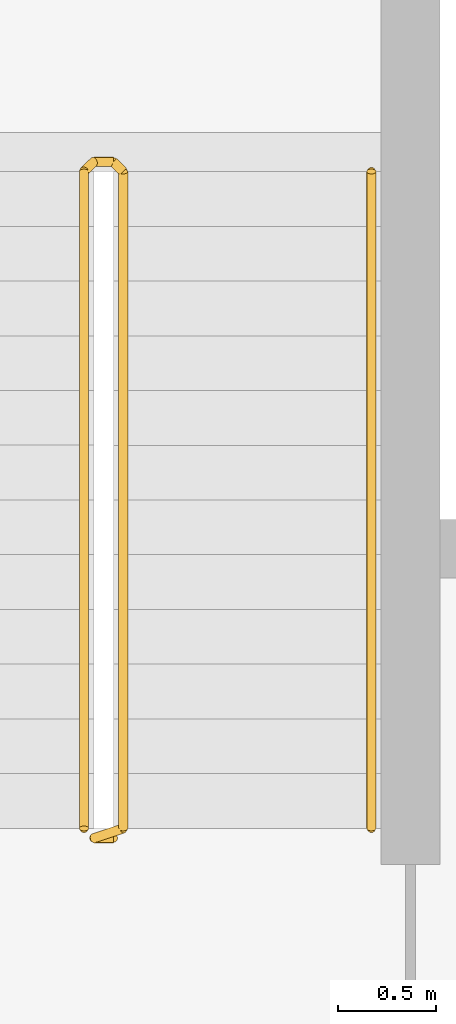
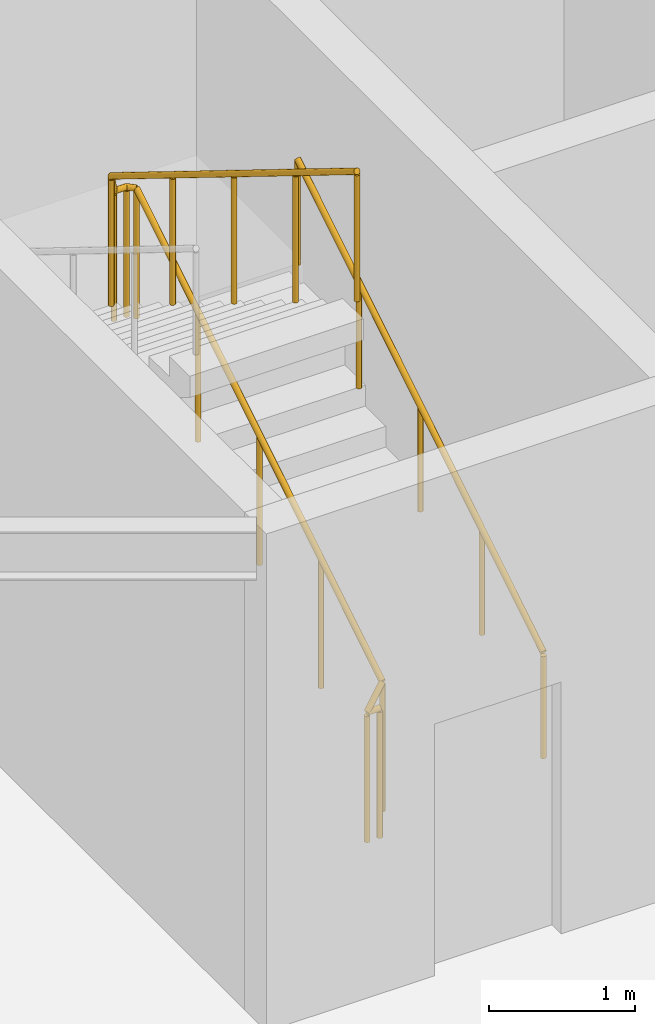
# One storey, part 7 of 7: 2 railings.
"""IFC4 building model written with IfcOpenShell, lengths in metres."""

from ifc_helpers import new_model, si_unit, direction, frame, origin, origin_2d, place, context, subcontext, project, spatial, circle, extrude, material, type_object, element, save


model = new_model("IFC4")

# Units and contexts
model_context = context("Model", 3, precision=1e-05, world=origin(), true_north=direction((0.0, 1.0)))
body_context = subcontext(model_context, "Body", "Model", "MODEL_VIEW")
ifc_project = project(units=[si_unit("LENGTHUNIT", "METRE"), si_unit("AREAUNIT", "SQUARE_METRE"), si_unit("VOLUMEUNIT", "CUBIC_METRE"), si_unit("PLANEANGLEUNIT", "RADIAN"), si_unit("MASSUNIT", "GRAM", prefix="KILO")], contexts=[model_context])

# Site, building, storey
site_placement = place(None, origin())
site = spatial("IfcSite", under=ifc_project, at=site_placement, CompositionType="ELEMENT")
building_placement = place(site_placement, origin())
building = spatial("IfcBuilding", under=site, at=building_placement, Name="Firuza Gate Tower and Library", CompositionType="ELEMENT")
storey_placement = place(building_placement, frame((0.0, 0.0, -9.5)))
storey = spatial("IfcBuildingStorey", under=building, at=storey_placement, Name="B2", CompositionType="ELEMENT", Elevation=-9.5)

# Railings
ifc_material_1 = material(Name="Steel S355", Category="steel")
railing_type_1 = type_object("IfcRailingType", Name="Stair guard 1100", PredefinedType="GUARDRAIL", material=ifc_material_1)
railing_1_placement = place(storey_placement, frame((73.6298828125, 89.419921875, 0.0)))
element("IfcRailing", 1, at=railing_1_placement, inside=storey, type_object=railing_type_1, Name="B2 ST3 stair guard 1", PredefinedType="GUARDRAIL", context=body_context, shape_type="SweptSolid", body=[
    extrude(circle(Radius=0.02392578125, at=origin_2d()), frame((0.0, 0.0, 1.076171875), z_axis=(-1.0, 0.0, 0.0), x_axis=(0.0, -1.0, 0.0)), (0.0, 0.0, 1.0), 0.099853515625),
    extrude(circle(Radius=0.02392578125, at=origin_2d()), frame((-0.099853515625, 0.0, 1.076171875), z_axis=(0.639547942662, 0.213529850563, 0.73850080024), x_axis=(-0.316691178788, 0.948528701346, 0.0)), (0.0, 0.0, 1.0), 0.234375),
    extrude(circle(Radius=0.02392578125, at=origin_2d()), frame((0.050048828125, 0.050048828125, 1.2490234375), z_axis=(0.0, 0.850623216509, 0.525775754039), x_axis=(-1.0, 0.0, 0.0)), (0.0, 0.0, 1.0), 3.9501953125),
    extrude(circle(Radius=0.02392578125, at=origin_2d()), frame((0.050048828125, 3.41015625, 3.326171875), z_axis=(-0.708833529934, 0.705375805398, 0.0), x_axis=(-0.705375805398, -0.708833529934, 0.0)), (0.0, 0.0, 1.0), 0.070556640625),
    extrude(circle(Radius=0.02392578125, at=origin_2d()), frame((0.0, 3.4599609375, 3.326171875), z_axis=(-1.0, 0.0, 0.0), x_axis=(0.0, -1.0, 0.0)), (0.0, 0.0, 1.0), 0.099853515625),
    extrude(circle(Radius=0.02392578125, at=origin_2d()), frame((-0.099853515625, 3.4599609375, 3.326171875), z_axis=(-0.267723051232, -0.266417085129, 0.925929967433), x_axis=(0.705375805398, -0.708833529934, 0.0)), (0.0, 0.0, 1.0), 0.18701171875),
    extrude(circle(Radius=0.02392578125, at=origin_2d()), frame((-0.14990234375, 3.41015625, 3.4990234375), z_axis=(0.0, -0.850623216509, 0.525775754039), x_axis=(1.0, 0.0, 0.0)), (0.0, 0.0, 1.0), 3.9501953125),
    extrude(circle(Radius=0.02099609375, at=origin_2d()), origin(), (0.0, 0.0, 1.0), 1.052001953125),
    extrude(circle(Radius=0.02099609375, at=origin_2d()), frame((-0.099853515625, 0.0, 0.0)), (0.0, 0.0, 1.0), 1.052001953125),
    extrude(circle(Radius=0.02099609375, at=origin_2d()), frame((0.050048828125, 0.050048828125, 0.173095703125)), (0.0, 0.0, 1.0), 1.052001953125),
    extrude(circle(Radius=0.02099609375, at=origin_2d()), frame((0.050048828125, 0.89013671875, 0.6923828125)), (0.0, 0.0, 1.0), 1.052001953125),
    extrude(circle(Radius=0.02099609375, at=origin_2d()), frame((0.050048828125, 1.72998046875, 1.21142578125)), (0.0, 0.0, 1.0), 1.052001953125),
    extrude(circle(Radius=0.02099609375, at=origin_2d()), frame((0.050048828125, 2.570068359375, 1.730712890625)), (0.0, 0.0, 1.0), 1.052001953125),
    extrude(circle(Radius=0.02099609375, at=origin_2d()), frame((0.050048828125, 3.41015625, 2.25)), (0.0, 0.0, 1.0), 1.052001953125),
    extrude(circle(Radius=0.02099609375, at=origin_2d()), frame((0.0, 3.4599609375, 2.25)), (0.0, 0.0, 1.0), 1.052001953125),
    extrude(circle(Radius=0.02099609375, at=origin_2d()), frame((-0.099853515625, 3.4599609375, 2.25)), (0.0, 0.0, 1.0), 1.052001953125),
    extrude(circle(Radius=0.02099609375, at=origin_2d()), frame((-0.14990234375, 3.41015625, 2.423095703125)), (0.0, 0.0, 1.0), 1.052001953125),
    extrude(circle(Radius=0.02099609375, at=origin_2d()), frame((-0.14990234375, 2.570068359375, 2.9423828125)), (0.0, 0.0, 1.0), 1.052001953125),
    extrude(circle(Radius=0.02099609375, at=origin_2d()), frame((-0.14990234375, 1.72998046875, 3.46142578125)), (0.0, 0.0, 1.0), 1.052001953125),
    extrude(circle(Radius=0.02099609375, at=origin_2d()), frame((-0.14990234375, 0.89013671875, 3.980712890625)), (0.0, 0.0, 1.0), 1.052001953125),
    extrude(circle(Radius=0.02099609375, at=origin_2d()), frame((-0.14990234375, 0.050048828125, 4.5)), (0.0, 0.0, 1.0), 1.052001953125),
])
ifc_material_2 = material(Name="Steel S355", Category="steel")
railing_type_2 = type_object("IfcRailingType", Name="Stair handrail 900", PredefinedType="HANDRAIL", material=ifc_material_2)
railing_2_placement = place(storey_placement, frame((74.949951171875, 89.469970703125, 0.173095703125)))
element("IfcRailing", 2, at=railing_2_placement, inside=storey, type_object=railing_type_2, Name="B2 ST3 stair handrail 1", PredefinedType="HANDRAIL", context=body_context, shape_type="SweptSolid", body=[
    extrude(circle(Radius=0.02392578125, at=origin_2d()), frame((0.0, 0.0, 0.8759765625), z_axis=(0.0, 0.850623216509, 0.525775754039), x_axis=(-1.0, 0.0, 0.0)), (0.0, 0.0, 1.0), 3.9501953125),
    extrude(circle(Radius=0.02099609375, at=origin_2d()), origin(), (0.0, 0.0, 1.0), 0.851806640625),
    extrude(circle(Radius=0.02099609375, at=origin_2d()), frame((0.0, 0.840087890625, 0.519287109375)), (0.0, 0.0, 1.0), 0.851806640625),
    extrude(circle(Radius=0.02099609375, at=origin_2d()), frame((0.0, 1.68017578125, 1.03857421875)), (0.0, 0.0, 1.0), 0.851806640625),
    extrude(circle(Radius=0.02099609375, at=origin_2d()), frame((0.0, 2.52001953125, 1.5576171875)), (0.0, 0.0, 1.0), 0.851806640625),
    extrude(circle(Radius=0.02099609375, at=origin_2d()), frame((0.0, 3.360107421875, 2.076904296875)), (0.0, 0.0, 1.0), 0.851806640625),
])

save(model, "model.ifc")
